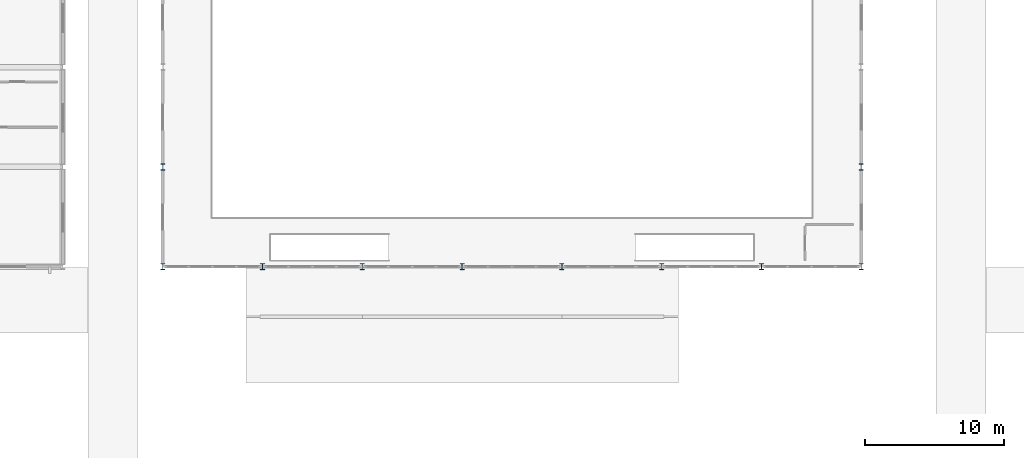
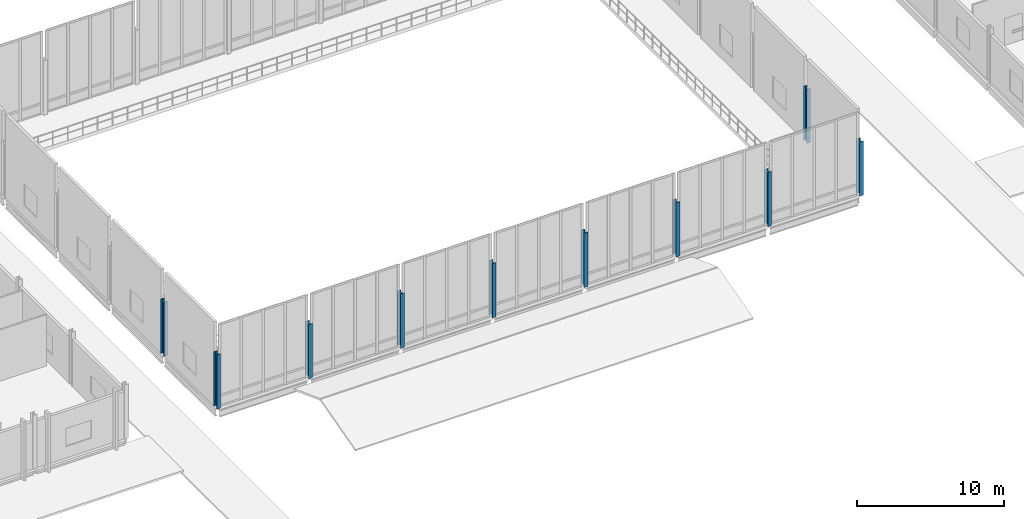
# One storey, part 4 of 110: 10 columns.
"""IFC4 building model written with IfcOpenShell, lengths in metres."""

import ifcopenshell
import ifcopenshell.guid

model = None  # the IFC model being written
_history = None  # IfcOwnerHistory: only IFC2X3 demands one
_inside = {}  # id of a spatial element -> (the spatial element, [elements in it])
_under = {}  # id of a project, library or spatial element -> (it, [spatial elements below it])
_declared = {}  # id of a project -> (the project, [libraries it declares])
_typed = {}  # id of a type object -> (the type object, [elements of that type])
_made_of = {}  # id of a material, layer set ... -> (it, [elements and type objects made of it])


def new_model(schema):
    """Start an empty IFC model of exactly this schema.

    Asked for "IFC4X3", IfcOpenShell would pick the latest addendum, in which some entities
    have other attributes; the version numbers below select the first issue.
    IFC2X3 requires an IfcOwnerHistory on every rooted entity: one is made here for all.
    """
    global model, _history
    if schema == "IFC4X3":
        model = ifcopenshell.file(schema_version=(4, 3, 0, 0))
    else:
        model = ifcopenshell.file(schema=schema)
    _inside.clear()
    _under.clear()
    _declared.clear()
    _typed.clear()
    _made_of.clear()
    _history = None
    if model.schema == "IFC2X3":
        org = make("IfcOrganization", Name="unknown")
        user = make(
            "IfcPersonAndOrganization",
            ThePerson=make("IfcPerson", FamilyName="unknown"),
            TheOrganization=org,
        )
        app = make(
            "IfcApplication",
            ApplicationDeveloper=org,
            Version="unknown",
            ApplicationFullName="unknown",
            ApplicationIdentifier="unknown",
        )
        _history = make(
            "IfcOwnerHistory",
            OwningUser=user,
            OwningApplication=app,
            ChangeAction="ADDED",
            CreationDate=0,
        )
    return model


def make(cls, **values):
    """One entity of the class cls with the attributes given. An attribute that is None is left unset."""
    return model.create_entity(
        cls, **{name: value for name, value in values.items() if value is not None}
    )


def rooted(cls, **values):
    """An entity with a GlobalId (a new one), such as an element, a storey or a relation."""
    return make(cls, GlobalId=ifcopenshell.guid.new(), OwnerHistory=_history, **values)


def si_unit(unit_type, name, prefix=None):
    """IfcSIUnit, for example si_unit("LENGTHUNIT", "METRE", prefix="MILLI")."""
    return make("IfcSIUnit", UnitType=unit_type, Prefix=prefix, Name=name)


def assignment(units):
    """IfcUnitAssignment: the units of a project."""
    return None if units is None else make("IfcUnitAssignment", Units=units)


def point(xyz):
    """IfcCartesianPoint."""
    return None if xyz is None else make("IfcCartesianPoint", Coordinates=xyz)


def direction(xyz):
    """IfcDirection."""
    return None if xyz is None else make("IfcDirection", DirectionRatios=xyz)


def frame(location, z_axis=None, x_axis=None):
    """IfcAxis2Placement3D, a coordinate frame: its origin and axes. An axis left out is left unset."""
    return make(
        "IfcAxis2Placement3D",
        Location=point(location),
        Axis=direction(z_axis),
        RefDirection=direction(x_axis),
    )


def frame_2d(location, x_axis=None):
    """IfcAxis2Placement2D, a coordinate frame in the plane: its origin and x axis."""
    return make(
        "IfcAxis2Placement2D", Location=point(location), RefDirection=direction(x_axis)
    )


def origin():
    """The frame at (0, 0, 0) with its axes left unset."""
    return frame((0.0, 0.0, 0.0))


def origin_2d():
    """The frame at (0, 0) in the plane with its x axis left unset."""
    return frame_2d((0.0, 0.0))


def place(relative_to, where):
    """IfcLocalPlacement: puts the frame where relative to a parent placement (None: the world)."""
    return make(
        "IfcLocalPlacement", PlacementRelTo=relative_to, RelativePlacement=where
    )


def context(
    kind, dimensions, precision=None, world=None, true_north=None, identifier=None
):
    """IfcGeometricRepresentationContext, for example the 3D "Model" context."""
    return make(
        "IfcGeometricRepresentationContext",
        ContextIdentifier=identifier,
        ContextType=kind,
        CoordinateSpaceDimension=dimensions,
        Precision=precision,
        WorldCoordinateSystem=world,
        TrueNorth=true_north,
    )


def subcontext(parent, identifier, kind, view, scale=None):
    """IfcGeometricRepresentationSubContext, for example "Body" below "Model"."""
    return make(
        "IfcGeometricRepresentationSubContext",
        ContextIdentifier=identifier,
        ContextType=kind,
        ParentContext=parent,
        TargetScale=scale,
        TargetView=view,
    )


def project(units=None, contexts=None):
    """IfcProject with its units and contexts."""
    return rooted(
        "IfcProject",
        Name="project",
        RepresentationContexts=contexts,
        UnitsInContext=assignment(units),
    )


def spatial(cls, under=None, at=None, **own):
    """A site, building, storey or space (cls), placed at a placement, below another one or the project."""
    s = rooted(cls, ObjectPlacement=at, **own)
    if under is not None:
        _under.setdefault(under.id(), (under, []))[1].append(s)
    return s


def profile(cls, at=None, kind="AREA", **sizes):
    """A parametric profile (cls). Its sizes go by their IFC names, for example OverallWidth=200.0."""
    return make(cls, ProfileType=kind, Position=at, **sizes)


def i_section(**sizes):
    """IfcIShapeProfileDef."""
    return profile("IfcIShapeProfileDef", **sizes)


def extrude(swept, where, along, depth):
    """IfcExtrudedAreaSolid: the profile swept, set in the frame where, extruded along a direction by depth."""
    return make(
        "IfcExtrudedAreaSolid",
        SweptArea=swept,
        Position=where,
        ExtrudedDirection=direction(along),
        Depth=depth,
    )


def shape(context_of_items, identifier, shape_type, items):
    """IfcShapeRepresentation: the items that make up one representation, for example the "Body"."""
    return make(
        "IfcShapeRepresentation",
        ContextOfItems=context_of_items,
        RepresentationIdentifier=identifier,
        RepresentationType=shape_type,
        Items=items,
    )


def material(Name=None, Category=None):
    """IfcMaterial."""
    return make("IfcMaterial", Name=Name, Category=Category)


def material_profile(
    of_material, cross_section, Name=None, Category=None, Priority=None
):
    """IfcMaterialProfile: a cross section and its material."""
    return make(
        "IfcMaterialProfile",
        Name=Name,
        Material=of_material,
        Profile=cross_section,
        Priority=Priority,
        Category=Category,
    )


def profile_set(profiles, Name=None, composite=None):
    """IfcMaterialProfileSet."""
    return make(
        "IfcMaterialProfileSet",
        Name=Name,
        MaterialProfiles=profiles,
        CompositeProfile=composite,
    )


def made_of(thing, what):
    """Note that an element or type object is made of a material, layer set ...; save() writes the relation."""
    if what is not None:
        _made_of.setdefault(what.id(), (what, []))[1].append(thing)
    return thing


def type_object(cls, material=None, **own):
    """A type object (cls), such as IfcWallType, which elements share."""
    return made_of(rooted(cls, **own), material)


def element(
    cls,
    number,
    at=None,
    inside=None,
    cuts=None,
    type_object=None,
    material=None,
    context=None,
    identifier="Body",
    shape_type=None,
    held_by="IfcProductDefinitionShape",
    body=None,
    shapes=None,
    **own,
):
    """One element of the class cls, such as IfcWall. Its Tag is "e" and its number.

    at: its placement. inside: the storey or other place that contains it. cuts: it is an
    opening in that element (IfcRelVoidsElement). A single representation is given by context,
    identifier, shape_type and body (its items); several are given by shapes. held_by: the class
    of the entity that holds the representations. save() writes the other relations.
    """
    e = rooted(cls, Tag="e%d" % number, ObjectPlacement=at, **own)
    if body is not None:
        shapes = [shape(context, identifier, shape_type, body)]
    if shapes is not None:
        e.Representation = make(held_by, Representations=shapes)
    if inside is not None:
        _inside.setdefault(inside.id(), (inside, []))[1].append(e)
    if cuts is not None:
        rooted(
            "IfcRelVoidsElement", RelatingBuildingElement=cuts, RelatedOpeningElement=e
        )
    if type_object is not None:
        _typed.setdefault(type_object.id(), (type_object, []))[1].append(e)
    return made_of(e, material)


def aggregate(whole, parts):
    """IfcRelAggregates: a whole, such as a stair, and the parts it consists of."""
    return rooted("IfcRelAggregates", RelatingObject=whole, RelatedObjects=parts)


def save(model, path):
    """Write the relations noted so far, then the file.

    IfcRelAggregates (storeys below a building ...), IfcRelContainedInSpatialStructure (elements
    in a storey), IfcRelDefinesByType, IfcRelAssociatesMaterial and IfcRelDeclares: one each for
    every whole, place, type object, material and project.
    """
    for whole, parts in _under.values():
        aggregate(whole, parts)
    for where, things in _inside.values():
        rooted(
            "IfcRelContainedInSpatialStructure",
            RelatedElements=things,
            RelatingStructure=where,
        )
    for kind, things in _typed.values():
        rooted("IfcRelDefinesByType", RelatedObjects=things, RelatingType=kind)
    for what, things in _made_of.values():
        rooted("IfcRelAssociatesMaterial", RelatedObjects=things, RelatingMaterial=what)
    for by, libraries in _declared.values():
        rooted("IfcRelDeclares", RelatingContext=by, RelatedDefinitions=libraries)
    model.write(path)


model = new_model("IFC4")

# Units and contexts
model_context = context("Model", 3, precision=1e-05, world=origin(), true_north=direction((0.0, 1.0)))
body_context = subcontext(model_context, "Body", "Model", "MODEL_VIEW")
ifc_project = project(units=[si_unit("LENGTHUNIT", "METRE"), si_unit("AREAUNIT", "SQUARE_METRE"), si_unit("VOLUMEUNIT", "CUBIC_METRE"), si_unit("PLANEANGLEUNIT", "RADIAN"), si_unit("MASSUNIT", "GRAM", prefix="KILO")], contexts=[model_context])

# Site, building, storey
site_placement = place(None, origin())
site = spatial("IfcSite", under=ifc_project, at=site_placement, CompositionType="ELEMENT")
building_placement = place(site_placement, origin())
building = spatial("IfcBuilding", under=site, at=building_placement, Name="Suanplinth Sawtooth Commons", CompositionType="ELEMENT")
storey_placement = place(building_placement, frame((0.0, 0.0, 4.5)))
storey = spatial("IfcBuildingStorey", under=building, at=storey_placement, Name="L01", CompositionType="ELEMENT", Elevation=4.5)

# Columns
ifc_material = material(Name="Steel S355JR", Category="steel")
ifc_material_profile = material_profile(ifc_material, i_section(OverallWidth=0.300048828125, OverallDepth=0.449951171875, WebThickness=0.013916015625, FlangeThickness=0.02587890625, at=origin_2d()), Name="HEB 450")
ifc_profile_set = profile_set([ifc_material_profile], Name="Steel S355JR")
column_type = type_object("IfcColumnType", Name="C-09", PredefinedType="COLUMN", material=ifc_profile_set)
for number, where, z_axis, x_axis, name in (
    (1, (64.800048828125, 50.39990234375, 0.0), (0.0, 0.0, 1.0), (1.0, 0.0, 0.0), "Column L01 10/H"),
    (2, (64.800048828125, 57.60009765625, 0.0), (0.0, 0.0, 1.0), (1.0, 0.0, 0.0), "Column L01 10/J"),
    (3, (72.0, 50.39990234375, 0.0), (0.0, 0.0, 1.0), (1.0, 0.0, 0.0), "Column L01 11/H"),
    (4, (79.199951171875, 50.39990234375, 0.0), (0.0, 0.0, 1.0), (1.0, 0.0, 0.0), "Column L01 12/H"),
    (5, (86.39990234375, 50.39990234375, 0.0), (0.0, 0.0, 1.0), (1.0, 0.0, 0.0), "Column L01 13/H"),
    (6, (93.60009765625, 50.39990234375, 0.0), (0.0, 0.0, 1.0), (1.0, 0.0, 0.0), "Column L01 14/H"),
    (7, (100.800048828125, 50.39990234375, 0.0), (0.0, 0.0, 1.0), (1.0, 0.0, 0.0), "Column L01 15/H"),
    (8, (108.0, 50.39990234375, 0.0), (0.0, 0.0, 1.0), (1.0, 0.0, 0.0), "Column L01 16/H"),
    (9, (115.199951171875, 50.39990234375, 0.0), (0.0, 0.0, 1.0), (1.0, 0.0, 0.0), "Column L01 17/H"),
    (10, (115.199951171875, 57.60009765625, 0.0), (0.0, 0.0, 1.0), (1.0, 0.0, 0.0), "Column L01 17/J"),
):
    element("IfcColumn", number, at=place(storey_placement, frame(where, z_axis=z_axis, x_axis=x_axis)), inside=storey, type_object=column_type, Name=name, PredefinedType="COLUMN", context=body_context, shape_type="SweptSolid", body=[
        extrude(i_section(OverallWidth=0.300048828125, OverallDepth=0.449951171875, WebThickness=0.013916015625, FlangeThickness=0.02587890625, at=origin_2d()), origin(), (0.0, 0.0, 1.0), 4.5),
    ])

save(model, "model.ifc")
